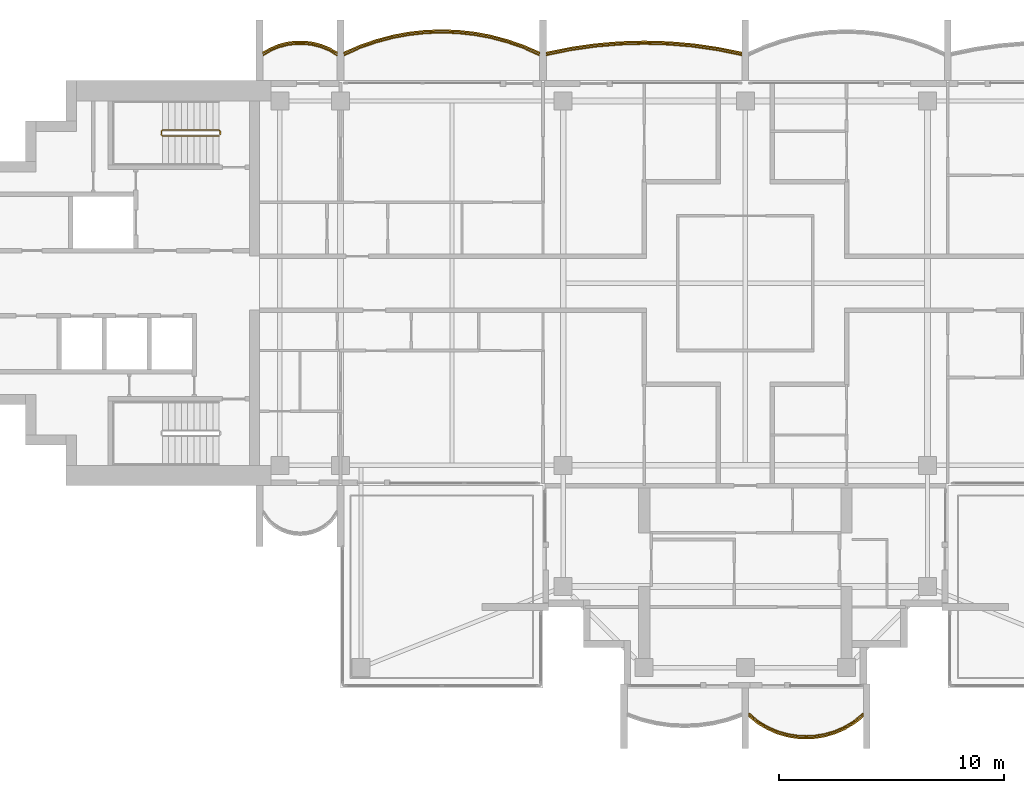
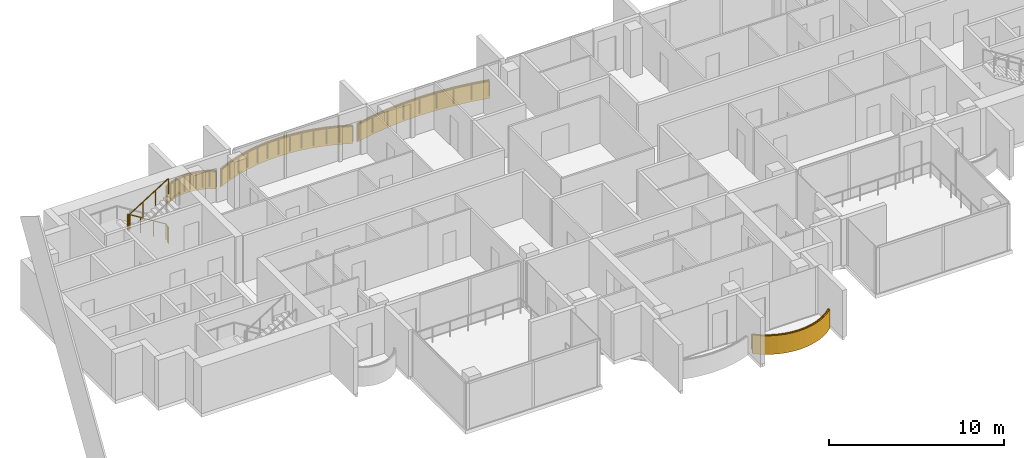
# One storey, part 14 of 16: 5 railings, 4 coverings.
"""IFC4 building model written with IfcOpenShell, lengths in metres."""

from ifc_helpers import new_model, si_unit, direction, frame, origin, origin_2d, place, context, subcontext, project, spatial, polyline, rectangle, outline, extrude, material, layer, layer_set, type_object, element, save


model = new_model("IFC4")

# Units and contexts
model_context = context("Model", 3, precision=1e-05, world=origin(), true_north=direction((0.0, 1.0)))
body_context = subcontext(model_context, "Body", "Model", "MODEL_VIEW")
ifc_project = project(units=[si_unit("LENGTHUNIT", "METRE"), si_unit("AREAUNIT", "SQUARE_METRE"), si_unit("VOLUMEUNIT", "CUBIC_METRE"), si_unit("PLANEANGLEUNIT", "RADIAN"), si_unit("MASSUNIT", "GRAM", prefix="KILO")], contexts=[model_context])

# Site, building, storey
site_placement = place(None, origin())
site = spatial("IfcSite", under=ifc_project, at=site_placement, CompositionType="ELEMENT")
building_placement = place(site_placement, origin())
building = spatial("IfcBuilding", under=site, at=building_placement, Name="Perihelion Cross Residences", CompositionType="ELEMENT")
storey_placement = place(building_placement, frame((0.0, 0.0, 264.0)))
storey = spatial("IfcBuildingStorey", under=building, at=storey_placement, Name="L67", CompositionType="ELEMENT", Elevation=264.0)

# Coverings
ifc_material_1 = material(Name="Bronze anodised aluminium", Category="aluminium")
ifc_layer = layer(ifc_material_1, 0.070068359375)
ifc_layer_set = layer_set([ifc_layer], Name="Balcony fascia 1300")
covering_type = type_object("IfcCoveringType", Name="Balcony fascia 1300", PredefinedType="CLADDING", material=ifc_layer_set)
covering_1_placement = place(storey_placement, frame((0.0, 0.0, -0.199951171875)))
element("IfcCovering", 1, at=covering_1_placement, inside=storey, type_object=covering_type, Name="Fascia BF1 L67 north side east bay 2", PredefinedType="CLADDING", context=body_context, shape_type="SweptSolid", body=[
    extrude(outline(polyline([(-1.2255859375, 10.4892578125), (-2.317138671875, 10.645751953125), (-3.408447265625, 10.739013671875), (-4.5, 10.77001953125), (-5.591552734375, 10.739013671875), (-6.682861328125, 10.645751953125), (-7.7744140625, 10.4892578125), (-8.85009765625, 10.271484375), (-8.85009765625, 10.199951171875), (-7.762451171875, 10.42041015625), (-6.675048828125, 10.576171875), (-5.58740234375, 10.669189453125), (-4.5, 10.699951171875), (-3.41259765625, 10.669189453125), (-2.324951171875, 10.576171875), (-1.237548828125, 10.42041015625), (-0.14990234375, 10.199951171875), (-0.14990234375, 10.271484375), (-1.2255859375, 10.4892578125)])), origin(), (0.0, 0.0, 1.0), 1.300048828125),
])
covering_2_placement = place(storey_placement, frame((0.0, 0.0, -0.199951171875)))
element("IfcCovering", 2, at=covering_2_placement, inside=storey, type_object=covering_type, Name="Fascia BF1 L67 west side north bay 1", PredefinedType="CLADDING", context=body_context, shape_type="SweptSolid", body=[
    extrude(outline(polyline([(-9.849365234375, 10.582275390625), (-10.57958984375, 10.83544921875), (-11.309814453125, 11.028076171875), (-12.039794921875, 11.1630859375), (-12.77001953125, 11.243408203125), (-13.5, 11.27001953125), (-14.22998046875, 11.243408203125), (-14.960205078125, 11.1630859375), (-15.690185546875, 11.028076171875), (-16.42041015625, 10.83544921875), (-17.150634765625, 10.582275390625), (-17.85009765625, 10.2763671875), (-17.85009765625, 10.199951171875), (-17.125, 10.51708984375), (-16.39990234375, 10.7685546875), (-15.675048828125, 10.959716796875), (-14.949951171875, 11.093994140625), (-14.22509765625, 11.173583984375), (-13.5, 11.199951171875), (-12.77490234375, 11.173583984375), (-12.050048828125, 11.093994140625), (-11.324951171875, 10.959716796875), (-10.60009765625, 10.7685546875), (-9.875, 10.51708984375), (-9.14990234375, 10.199951171875), (-9.14990234375, 10.2763671875), (-9.849365234375, 10.582275390625)])), origin(), (0.0, 0.0, 1.0), 1.300048828125),
])
covering_3_placement = place(storey_placement, frame((0.0, 0.0, -0.199951171875)))
element("IfcCovering", 3, at=covering_3_placement, inside=storey, type_object=covering_type, Name="Fascia BF1 L67 west side north bay 2", PredefinedType="CLADDING", context=body_context, shape_type="SweptSolid", body=[
    extrude(outline(polyline([(-18.486328125, 10.4716796875), (-18.861572265625, 10.62158203125), (-19.237060546875, 10.717529296875), (-19.6123046875, 10.76416015625), (-19.987548828125, 10.76416015625), (-20.363037109375, 10.717529296875), (-20.73828125, 10.62158203125), (-21.11376953125, 10.4716796875), (-21.449951171875, 10.280517578125), (-21.449951171875, 10.199951171875), (-21.083251953125, 10.40869140625), (-20.716552734375, 10.55517578125), (-20.35009765625, 10.648681640625), (-19.9833984375, 10.6943359375), (-19.61669921875, 10.6943359375), (-19.25, 10.648681640625), (-18.88330078125, 10.55517578125), (-18.5166015625, 10.40869140625), (-18.14990234375, 10.199951171875), (-18.14990234375, 10.280517578125), (-18.486328125, 10.4716796875)])), origin(), (0.0, 0.0, 1.0), 1.300048828125),
])
covering_4_placement = place(storey_placement, frame((0.0, 0.0, -0.199951171875)))
element("IfcCovering", 4, at=covering_4_placement, inside=storey, type_object=covering_type, Name="Fascia BF1 L67 south tip south bay 2", PredefinedType="CLADDING", context=body_context, shape_type="SweptSolid", body=[
    extrude(outline(polyline([(0.53515625, -19.59765625), (0.96826171875, -19.85498046875), (1.401123046875, -20.04248046875), (1.833984375, -20.170654296875), (2.26708984375, -20.245361328125), (2.699951171875, -20.27001953125), (3.133056640625, -20.245361328125), (3.56591796875, -20.170654296875), (3.998779296875, -20.04248046875), (4.431884765625, -19.85498046875), (4.86474609375, -19.59765625), (5.25, -19.28955078125), (5.25, -19.199951171875), (4.824951171875, -19.5400390625), (4.39990234375, -19.792724609375), (3.97509765625, -19.9765625), (3.550048828125, -20.1025390625), (3.125, -20.17578125), (2.699951171875, -20.199951171875), (2.27490234375, -20.17578125), (1.85009765625, -20.1025390625), (1.425048828125, -19.9765625), (1.0, -19.792724609375), (0.574951171875, -19.5400390625), (0.14990234375, -19.199951171875), (0.14990234375, -19.28955078125), (0.53515625, -19.59765625)])), origin(), (0.0, 0.0, 1.0), 1.300048828125),
])

# Railings
ifc_material_2 = material(Name="Bronze anodised aluminium", Category="aluminium")
railing_type_1 = type_object("IfcRailingType", Name="Balcony guard 1100", PredefinedType="GUARDRAIL", material=ifc_material_2)
railing_1_placement = place(storey_placement, frame((-0.175048828125, 10.139892578125, 0.0)))
element("IfcRailing", 5, at=railing_1_placement, inside=storey, type_object=railing_type_1, Name="Guard GU1 L67 north side east bay 2 balcony", PredefinedType="GUARDRAIL", context=body_context, shape_type="SweptSolid", body=[
    extrude(rectangle(XDim=0.048095703125, YDim=0.048095703125, at=origin_2d()), frame((0.0, 0.0, 1.076171875), z_axis=(-0.979144816647, 0.203163549961, 0.0), x_axis=(-0.203163549961, -0.979144816647, 0.0)), (0.0, 0.0, 1.0), 1.085205078125),
    extrude(rectangle(XDim=0.048095703125, YDim=0.048095703125, at=origin_2d()), frame((-1.0625, 0.220458984375, 1.076171875), z_axis=(-0.98989608354, 0.141794724135, 0.0), x_axis=(-0.141794724135, -0.98989608354, 0.0)), (0.0, 0.0, 1.0), 1.098388671875),
    extrude(rectangle(XDim=0.048095703125, YDim=0.048095703125, at=origin_2d()), frame((-2.14990234375, 0.376220703125, 1.076171875), z_axis=(-0.996362942492, 0.085210837506, 0.0), x_axis=(-0.085210837506, -0.996362942492, 0.0)), (0.0, 0.0, 1.0), 1.091552734375),
    extrude(rectangle(XDim=0.048095703125, YDim=0.048095703125, at=origin_2d()), frame((-3.237548828125, 0.46923828125, 1.076171875), z_axis=(-0.999600101203, 0.028277865458, 0.0), x_axis=(-0.028277865458, -0.999600101203, 0.0)), (0.0, 0.0, 1.0), 1.087890625),
    extrude(rectangle(XDim=0.048095703125, YDim=0.048095703125, at=origin_2d()), frame((-4.324951171875, 0.5, 1.076171875), z_axis=(-0.999600101203, -0.028277865458, 0.0), x_axis=(0.028277865458, -0.999600101203, 0.0)), (0.0, 0.0, 1.0), 1.087890625),
    extrude(rectangle(XDim=0.048095703125, YDim=0.048095703125, at=origin_2d()), frame((-5.412353515625, 0.46923828125, 1.076171875), z_axis=(-0.996362942492, -0.085210837506, 0.0), x_axis=(0.085210837506, -0.996362942492, 0.0)), (0.0, 0.0, 1.0), 1.091552734375),
    extrude(rectangle(XDim=0.048095703125, YDim=0.048095703125, at=origin_2d()), frame((-6.5, 0.376220703125, 1.076171875), z_axis=(-0.98989608354, -0.141794724135, 0.0), x_axis=(0.141794724135, -0.98989608354, 0.0)), (0.0, 0.0, 1.0), 1.098388671875),
    extrude(rectangle(XDim=0.048095703125, YDim=0.048095703125, at=origin_2d()), frame((-7.58740234375, 0.220458984375, 1.076171875), z_axis=(-0.979144816647, -0.203163549961, 0.0), x_axis=(0.203163549961, -0.979144816647, 0.0)), (0.0, 0.0, 1.0), 1.085205078125),
    extrude(rectangle(XDim=0.0419921875, YDim=0.0419921875, at=origin_2d()), origin(), (0.0, 0.0, 1.0), 1.052001953125),
    extrude(rectangle(XDim=0.0419921875, YDim=0.0419921875, at=origin_2d()), frame((-1.0625, 0.220458984375, 0.0)), (0.0, 0.0, 1.0), 1.052001953125),
    extrude(rectangle(XDim=0.0419921875, YDim=0.0419921875, at=origin_2d()), frame((-2.14990234375, 0.376220703125, 0.0)), (0.0, 0.0, 1.0), 1.052001953125),
    extrude(rectangle(XDim=0.0419921875, YDim=0.0419921875, at=origin_2d()), frame((-3.237548828125, 0.46923828125, 0.0)), (0.0, 0.0, 1.0), 1.052001953125),
    extrude(rectangle(XDim=0.0419921875, YDim=0.0419921875, at=origin_2d()), frame((-4.324951171875, 0.5, 0.0)), (0.0, 0.0, 1.0), 1.052001953125),
    extrude(rectangle(XDim=0.0419921875, YDim=0.0419921875, at=origin_2d()), frame((-5.412353515625, 0.46923828125, 0.0)), (0.0, 0.0, 1.0), 1.052001953125),
    extrude(rectangle(XDim=0.0419921875, YDim=0.0419921875, at=origin_2d()), frame((-6.5, 0.376220703125, 0.0)), (0.0, 0.0, 1.0), 1.052001953125),
    extrude(rectangle(XDim=0.0419921875, YDim=0.0419921875, at=origin_2d()), frame((-7.58740234375, 0.220458984375, 0.0)), (0.0, 0.0, 1.0), 1.052001953125),
    extrude(rectangle(XDim=0.0419921875, YDim=0.0419921875, at=origin_2d()), frame((-8.64990234375, 0.0, 0.0)), (0.0, 0.0, 1.0), 1.052001953125),
])
railing_2_placement = place(storey_placement, frame((-9.175048828125, 10.139892578125, 0.0)))
element("IfcRailing", 6, at=railing_2_placement, inside=storey, type_object=railing_type_1, Name="Guard GU1 L67 west side north bay 1 balcony", PredefinedType="GUARDRAIL", context=body_context, shape_type="SweptSolid", body=[
    extrude(rectangle(XDim=0.048095703125, YDim=0.048095703125, at=origin_2d()), frame((0.0, 0.0, 1.076171875), z_axis=(-0.910866309087, 0.412701547089, 0.0), x_axis=(-0.412701547089, -0.910866309087, 0.0)), (0.0, 0.0, 1.0), 0.7685546875),
    extrude(rectangle(XDim=0.048095703125, YDim=0.048095703125, at=origin_2d()), frame((-0.699951171875, 0.317138671875, 1.076171875), z_axis=(-0.944796812452, 0.327656807012, 0.0), x_axis=(-0.327656807012, -0.944796812452, 0.0)), (0.0, 0.0, 1.0), 0.767578125),
    extrude(rectangle(XDim=0.048095703125, YDim=0.048095703125, at=origin_2d()), frame((-1.425048828125, 0.568603515625, 1.076171875), z_axis=(-0.966939404945, 0.255006249266, 0.0), x_axis=(-0.255006249266, -0.966939404945, 0.0)), (0.0, 0.0, 1.0), 0.749755859375),
    extrude(rectangle(XDim=0.048095703125, YDim=0.048095703125, at=origin_2d()), frame((-2.14990234375, 0.759765625, 1.076171875), z_axis=(-0.983282004984, 0.182089260182, 0.0), x_axis=(-0.182089260182, -0.983282004984, 0.0)), (0.0, 0.0, 1.0), 0.7373046875),
    extrude(rectangle(XDim=0.048095703125, YDim=0.048095703125, at=origin_2d()), frame((-2.875, 0.89404296875, 1.076171875), z_axis=(-0.994025805622, 0.109145305703, 0.0), x_axis=(-0.109145305703, -0.994025805622, 0.0)), (0.0, 0.0, 1.0), 0.729248046875),
    extrude(rectangle(XDim=0.048095703125, YDim=0.048095703125, at=origin_2d()), frame((-3.599853515625, 0.9736328125, 1.076171875), z_axis=(-0.999339497946, 0.036339618107, 0.0), x_axis=(-0.036339618107, -0.999339497946, 0.0)), (0.0, 0.0, 1.0), 0.7255859375),
    extrude(rectangle(XDim=0.048095703125, YDim=0.048095703125, at=origin_2d()), frame((-4.324951171875, 1.0, 1.076171875), z_axis=(-0.999339497946, -0.036339618107, 0.0), x_axis=(0.036339618107, -0.999339497946, 0.0)), (0.0, 0.0, 1.0), 0.7255859375),
    extrude(rectangle(XDim=0.048095703125, YDim=0.048095703125, at=origin_2d()), frame((-5.050048828125, 0.9736328125, 1.076171875), z_axis=(-0.994025805622, -0.109145305703, 0.0), x_axis=(0.109145305703, -0.994025805622, 0.0)), (0.0, 0.0, 1.0), 0.729248046875),
    extrude(rectangle(XDim=0.048095703125, YDim=0.048095703125, at=origin_2d()), frame((-5.77490234375, 0.89404296875, 1.076171875), z_axis=(-0.983282004984, -0.182089260182, 0.0), x_axis=(0.182089260182, -0.983282004984, 0.0)), (0.0, 0.0, 1.0), 0.7373046875),
    extrude(rectangle(XDim=0.048095703125, YDim=0.048095703125, at=origin_2d()), frame((-6.5, 0.759765625, 1.076171875), z_axis=(-0.966939404945, -0.255006249266, 0.0), x_axis=(0.255006249266, -0.966939404945, 0.0)), (0.0, 0.0, 1.0), 0.749755859375),
    extrude(rectangle(XDim=0.048095703125, YDim=0.048095703125, at=origin_2d()), frame((-7.224853515625, 0.568603515625, 1.076171875), z_axis=(-0.944796812452, -0.327656807012, 0.0), x_axis=(0.327656807012, -0.944796812452, 0.0)), (0.0, 0.0, 1.0), 0.767578125),
    extrude(rectangle(XDim=0.048095703125, YDim=0.048095703125, at=origin_2d()), frame((-7.949951171875, 0.317138671875, 1.076171875), z_axis=(-0.910866309087, -0.412701547089, 0.0), x_axis=(0.412701547089, -0.910866309087, 0.0)), (0.0, 0.0, 1.0), 0.7685546875),
    extrude(rectangle(XDim=0.0419921875, YDim=0.0419921875, at=origin_2d()), origin(), (0.0, 0.0, 1.0), 1.052001953125),
    extrude(rectangle(XDim=0.0419921875, YDim=0.0419921875, at=origin_2d()), frame((-0.699951171875, 0.317138671875, 0.0)), (0.0, 0.0, 1.0), 1.052001953125),
    extrude(rectangle(XDim=0.0419921875, YDim=0.0419921875, at=origin_2d()), frame((-1.425048828125, 0.568603515625, 0.0)), (0.0, 0.0, 1.0), 1.052001953125),
    extrude(rectangle(XDim=0.0419921875, YDim=0.0419921875, at=origin_2d()), frame((-2.14990234375, 0.759765625, 0.0)), (0.0, 0.0, 1.0), 1.052001953125),
    extrude(rectangle(XDim=0.0419921875, YDim=0.0419921875, at=origin_2d()), frame((-2.875, 0.89404296875, 0.0)), (0.0, 0.0, 1.0), 1.052001953125),
    extrude(rectangle(XDim=0.0419921875, YDim=0.0419921875, at=origin_2d()), frame((-3.599853515625, 0.9736328125, 0.0)), (0.0, 0.0, 1.0), 1.052001953125),
    extrude(rectangle(XDim=0.0419921875, YDim=0.0419921875, at=origin_2d()), frame((-4.324951171875, 1.0, 0.0)), (0.0, 0.0, 1.0), 1.052001953125),
    extrude(rectangle(XDim=0.0419921875, YDim=0.0419921875, at=origin_2d()), frame((-5.050048828125, 0.9736328125, 0.0)), (0.0, 0.0, 1.0), 1.052001953125),
    extrude(rectangle(XDim=0.0419921875, YDim=0.0419921875, at=origin_2d()), frame((-5.77490234375, 0.89404296875, 0.0)), (0.0, 0.0, 1.0), 1.052001953125),
    extrude(rectangle(XDim=0.0419921875, YDim=0.0419921875, at=origin_2d()), frame((-6.5, 0.759765625, 0.0)), (0.0, 0.0, 1.0), 1.052001953125),
    extrude(rectangle(XDim=0.0419921875, YDim=0.0419921875, at=origin_2d()), frame((-7.224853515625, 0.568603515625, 0.0)), (0.0, 0.0, 1.0), 1.052001953125),
    extrude(rectangle(XDim=0.0419921875, YDim=0.0419921875, at=origin_2d()), frame((-7.949951171875, 0.317138671875, 0.0)), (0.0, 0.0, 1.0), 1.052001953125),
    extrude(rectangle(XDim=0.0419921875, YDim=0.0419921875, at=origin_2d()), frame((-8.64990234375, 0.0, 0.0)), (0.0, 0.0, 1.0), 1.052001953125),
])
railing_3_placement = place(storey_placement, frame((-18.175048828125, 10.139892578125, 0.0)))
element("IfcRailing", 7, at=railing_3_placement, inside=storey, type_object=railing_type_1, Name="Guard GU1 L67 west side north bay 2 balcony", PredefinedType="GUARDRAIL", context=body_context, shape_type="SweptSolid", body=[
    extrude(rectangle(XDim=0.048095703125, YDim=0.048095703125, at=origin_2d()), frame((0.0, 0.0, 1.076171875), z_axis=(-0.853266756821, 0.52147467983, 0.0), x_axis=(-0.52147467983, -0.853266756821, 0.0)), (0.0, 0.0, 1.0), 0.400390625),
    extrude(rectangle(XDim=0.048095703125, YDim=0.048095703125, at=origin_2d()), frame((-0.341552734375, 0.208740234375, 1.076171875), z_axis=(-0.928647151248, 0.37096424151, 0.0), x_axis=(-0.37096424151, -0.928647151248, 0.0)), (0.0, 0.0, 1.0), 0.394775390625),
    extrude(rectangle(XDim=0.048095703125, YDim=0.048095703125, at=origin_2d()), frame((-0.708251953125, 0.355224609375, 1.076171875), z_axis=(-0.968993337782, 0.247086849781, 0.0), x_axis=(-0.247086849781, -0.968993337782, 0.0)), (0.0, 0.0, 1.0), 0.37841796875),
    extrude(rectangle(XDim=0.048095703125, YDim=0.048095703125, at=origin_2d()), frame((-1.074951171875, 0.44873046875, 1.076171875), z_axis=(-0.992338742457, 0.123546834114, 0.0), x_axis=(-0.123546834114, -0.992338742457, 0.0)), (0.0, 0.0, 1.0), 0.36962890625),
    extrude(rectangle(XDim=0.048095703125, YDim=0.048095703125, at=origin_2d()), frame((-1.441650390625, 0.494384765625, 1.076171875), z_axis=(-1.0, 0.0, 0.0), x_axis=(0.0, -1.0, 0.0)), (0.0, 0.0, 1.0), 0.36669921875),
    extrude(rectangle(XDim=0.048095703125, YDim=0.048095703125, at=origin_2d()), frame((-1.808349609375, 0.494384765625, 1.076171875), z_axis=(-0.992338742457, -0.123546834114, 0.0), x_axis=(0.123546834114, -0.992338742457, 0.0)), (0.0, 0.0, 1.0), 0.36962890625),
    extrude(rectangle(XDim=0.048095703125, YDim=0.048095703125, at=origin_2d()), frame((-2.175048828125, 0.44873046875, 1.076171875), z_axis=(-0.968953914071, -0.247241405123, 0.0), x_axis=(0.247241405123, -0.968953914071, 0.0)), (0.0, 0.0, 1.0), 0.378173828125),
    extrude(rectangle(XDim=0.048095703125, YDim=0.048095703125, at=origin_2d()), frame((-2.54150390625, 0.355224609375, 1.076171875), z_axis=(-0.928647151248, -0.37096424151, 0.0), x_axis=(0.37096424151, -0.928647151248, 0.0)), (0.0, 0.0, 1.0), 0.394775390625),
    extrude(rectangle(XDim=0.048095703125, YDim=0.048095703125, at=origin_2d()), frame((-2.908203125, 0.208740234375, 1.076171875), z_axis=(-0.853432484338, -0.521203410078, 0.0), x_axis=(0.521203410078, -0.853432484338, 0.0)), (0.0, 0.0, 1.0), 0.400390625),
    extrude(rectangle(XDim=0.0419921875, YDim=0.0419921875, at=origin_2d()), origin(), (0.0, 0.0, 1.0), 1.052001953125),
    extrude(rectangle(XDim=0.0419921875, YDim=0.0419921875, at=origin_2d()), frame((-0.341552734375, 0.208740234375, 0.0)), (0.0, 0.0, 1.0), 1.052001953125),
    extrude(rectangle(XDim=0.0419921875, YDim=0.0419921875, at=origin_2d()), frame((-0.708251953125, 0.355224609375, 0.0)), (0.0, 0.0, 1.0), 1.052001953125),
    extrude(rectangle(XDim=0.0419921875, YDim=0.0419921875, at=origin_2d()), frame((-1.074951171875, 0.44873046875, 0.0)), (0.0, 0.0, 1.0), 1.052001953125),
    extrude(rectangle(XDim=0.0419921875, YDim=0.0419921875, at=origin_2d()), frame((-1.441650390625, 0.494384765625, 0.0)), (0.0, 0.0, 1.0), 1.052001953125),
    extrude(rectangle(XDim=0.0419921875, YDim=0.0419921875, at=origin_2d()), frame((-1.808349609375, 0.494384765625, 0.0)), (0.0, 0.0, 1.0), 1.052001953125),
    extrude(rectangle(XDim=0.0419921875, YDim=0.0419921875, at=origin_2d()), frame((-2.175048828125, 0.44873046875, 0.0)), (0.0, 0.0, 1.0), 1.052001953125),
    extrude(rectangle(XDim=0.0419921875, YDim=0.0419921875, at=origin_2d()), frame((-2.54150390625, 0.355224609375, 0.0)), (0.0, 0.0, 1.0), 1.052001953125),
    extrude(rectangle(XDim=0.0419921875, YDim=0.0419921875, at=origin_2d()), frame((-2.908203125, 0.208740234375, 0.0)), (0.0, 0.0, 1.0), 1.052001953125),
    extrude(rectangle(XDim=0.0419921875, YDim=0.0419921875, at=origin_2d()), frame((-3.25, 0.0, 0.0)), (0.0, 0.0, 1.0), 1.052001953125),
])
railing_4_placement = place(storey_placement, frame((0.175048828125, -19.139892578125, 0.0)))
element("IfcRailing", 8, at=railing_4_placement, inside=storey, type_object=railing_type_1, Name="Guard GU1 L67 south tip south bay 2 balcony", PredefinedType="GUARDRAIL", context=body_context, shape_type="SweptSolid", body=[
    extrude(rectangle(XDim=0.048095703125, YDim=0.048095703125, at=origin_2d()), frame((0.0, 0.0, 1.076171875), z_axis=(0.761778647315, -0.647837396648, 0.0), x_axis=(0.647837396648, 0.761778647315, 0.0)), (0.0, 0.0, 1.0), 0.52490234375),
    extrude(rectangle(XDim=0.048095703125, YDim=0.048095703125, at=origin_2d()), frame((0.39990234375, -0.340087890625, 1.076171875), z_axis=(0.859576918062, -0.511006381501, 0.0), x_axis=(0.511006381501, 0.859576918062, 0.0)), (0.0, 0.0, 1.0), 0.494384765625),
    extrude(rectangle(XDim=0.048095703125, YDim=0.048095703125, at=origin_2d()), frame((0.824951171875, -0.5927734375, 1.076171875), z_axis=(0.917638931453, -0.397415137459, 0.0), x_axis=(0.397415137459, 0.917638931453, 0.0)), (0.0, 0.0, 1.0), 0.463134765625),
    extrude(rectangle(XDim=0.048095703125, YDim=0.048095703125, at=origin_2d()), frame((1.25, -0.77685546875, 1.076171875), z_axis=(0.958925815697, -0.283656975924, 0.0), x_axis=(0.283656975924, 0.958925815697, 0.0)), (0.0, 0.0, 1.0), 0.443359375),
    extrude(rectangle(XDim=0.048095703125, YDim=0.048095703125, at=origin_2d()), frame((1.675048828125, -0.902587890625, 1.076171875), z_axis=(0.985365142702, -0.170456843651, 0.0), x_axis=(0.170456843651, 0.985365142702, 0.0)), (0.0, 0.0, 1.0), 0.43115234375),
    extrude(rectangle(XDim=0.048095703125, YDim=0.048095703125, at=origin_2d()), frame((2.099853515625, -0.97607421875, 1.076171875), z_axis=(0.9984195016, -0.056200523353, 0.0), x_axis=(0.056200523353, 0.9984195016, 0.0)), (0.0, 0.0, 1.0), 0.42578125),
    extrude(rectangle(XDim=0.048095703125, YDim=0.048095703125, at=origin_2d()), frame((2.52490234375, -1.0, 1.076171875), z_axis=(0.9984195016, 0.056200523353, 0.0), x_axis=(-0.056200523353, 0.9984195016, 0.0)), (0.0, 0.0, 1.0), 0.42578125),
    extrude(rectangle(XDim=0.048095703125, YDim=0.048095703125, at=origin_2d()), frame((2.949951171875, -0.97607421875, 1.076171875), z_axis=(0.985381583142, 0.17036177859, 0.0), x_axis=(-0.17036177859, 0.985381583142, 0.0)), (0.0, 0.0, 1.0), 0.431396484375),
    extrude(rectangle(XDim=0.048095703125, YDim=0.048095703125, at=origin_2d()), frame((3.375, -0.902587890625, 1.076171875), z_axis=(0.958925815697, 0.283656975924, 0.0), x_axis=(-0.283656975924, 0.958925815697, 0.0)), (0.0, 0.0, 1.0), 0.443359375),
    extrude(rectangle(XDim=0.048095703125, YDim=0.048095703125, at=origin_2d()), frame((3.800048828125, -0.77685546875, 1.076171875), z_axis=(0.91755562531, 0.397607437634, 0.0), x_axis=(-0.397607437634, 0.91755562531, 0.0)), (0.0, 0.0, 1.0), 0.462890625),
    extrude(rectangle(XDim=0.048095703125, YDim=0.048095703125, at=origin_2d()), frame((4.224853515625, -0.5927734375, 1.076171875), z_axis=(0.859576918062, 0.511006381501, 0.0), x_axis=(-0.511006381501, 0.859576918062, 0.0)), (0.0, 0.0, 1.0), 0.494384765625),
    extrude(rectangle(XDim=0.048095703125, YDim=0.048095703125, at=origin_2d()), frame((4.64990234375, -0.340087890625, 1.076171875), z_axis=(0.761973728849, 0.647607934281, 0.0), x_axis=(-0.647607934281, 0.761973728849, 0.0)), (0.0, 0.0, 1.0), 0.525146484375),
    extrude(rectangle(XDim=0.0419921875, YDim=0.0419921875, at=origin_2d()), origin(), (0.0, 0.0, 1.0), 1.052001953125),
    extrude(rectangle(XDim=0.0419921875, YDim=0.0419921875, at=origin_2d()), frame((0.39990234375, -0.340087890625, 0.0)), (0.0, 0.0, 1.0), 1.052001953125),
    extrude(rectangle(XDim=0.0419921875, YDim=0.0419921875, at=origin_2d()), frame((0.824951171875, -0.5927734375, 0.0)), (0.0, 0.0, 1.0), 1.052001953125),
    extrude(rectangle(XDim=0.0419921875, YDim=0.0419921875, at=origin_2d()), frame((1.25, -0.77685546875, 0.0)), (0.0, 0.0, 1.0), 1.052001953125),
    extrude(rectangle(XDim=0.0419921875, YDim=0.0419921875, at=origin_2d()), frame((1.675048828125, -0.902587890625, 0.0)), (0.0, 0.0, 1.0), 1.052001953125),
    extrude(rectangle(XDim=0.0419921875, YDim=0.0419921875, at=origin_2d()), frame((2.099853515625, -0.97607421875, 0.0)), (0.0, 0.0, 1.0), 1.052001953125),
    extrude(rectangle(XDim=0.0419921875, YDim=0.0419921875, at=origin_2d()), frame((2.52490234375, -1.0, 0.0)), (0.0, 0.0, 1.0), 1.052001953125),
    extrude(rectangle(XDim=0.0419921875, YDim=0.0419921875, at=origin_2d()), frame((2.949951171875, -0.97607421875, 0.0)), (0.0, 0.0, 1.0), 1.052001953125),
    extrude(rectangle(XDim=0.0419921875, YDim=0.0419921875, at=origin_2d()), frame((3.375, -0.902587890625, 0.0)), (0.0, 0.0, 1.0), 1.052001953125),
    extrude(rectangle(XDim=0.0419921875, YDim=0.0419921875, at=origin_2d()), frame((3.800048828125, -0.77685546875, 0.0)), (0.0, 0.0, 1.0), 1.052001953125),
    extrude(rectangle(XDim=0.0419921875, YDim=0.0419921875, at=origin_2d()), frame((4.224853515625, -0.5927734375, 0.0)), (0.0, 0.0, 1.0), 1.052001953125),
    extrude(rectangle(XDim=0.0419921875, YDim=0.0419921875, at=origin_2d()), frame((4.64990234375, -0.340087890625, 0.0)), (0.0, 0.0, 1.0), 1.052001953125),
    extrude(rectangle(XDim=0.0419921875, YDim=0.0419921875, at=origin_2d()), frame((5.050048828125, 0.0, 0.0)), (0.0, 0.0, 1.0), 1.052001953125),
])
ifc_material_3 = material(Name="Stainless steel", Category="steel")
railing_type_2 = type_object("IfcRailingType", Name="Stair guard 1100", PredefinedType="GUARDRAIL", material=ifc_material_3)
railing_5_placement = place(storey_placement, frame((-23.35009765625, 6.60009765625, 0.0)))
element("IfcRailing", 9, at=railing_5_placement, inside=storey, type_object=railing_type_2, Name="L67 ST-W1 stair guard 1", PredefinedType="GUARDRAIL", context=body_context, shape_type="SweptSolid", body=[
    extrude(rectangle(XDim=0.048095703125, YDim=0.048095703125, at=origin_2d()), frame((0.0, 0.0, 1.076171875), z_axis=(0.0, 1.0, 0.0), x_axis=(-1.0, 0.0, 0.0)), (0.0, 0.0, 1.0), 0.14990234375),
    extrude(rectangle(XDim=0.048095703125, YDim=0.048095703125, at=origin_2d()), frame((0.0, 0.14990234375, 1.076171875), z_axis=(-0.263862480399, 0.265155923931, 0.927399011991), x_axis=(-0.708833529934, -0.705375805398, 0.0)), (0.0, 0.0, 1.0), 0.188720703125),
    extrude(rectangle(XDim=0.048095703125, YDim=0.048095703125, at=origin_2d()), frame((-0.0498046875, 0.199951171875, 1.2509765625), z_axis=(-0.848007534815, 0.0, 0.529984170421), x_axis=(0.0, -1.0, 0.0)), (0.0, 0.0, 1.0), 2.9716796875),
    extrude(rectangle(XDim=0.048095703125, YDim=0.048095703125, at=origin_2d()), frame((-2.56982421875, 0.199951171875, 2.826171875), z_axis=(-0.707106781187, -0.707106781187, 0.0), x_axis=(0.707106781187, -0.707106781187, 0.0)), (0.0, 0.0, 1.0), 0.07080078125),
    extrude(rectangle(XDim=0.048095703125, YDim=0.048095703125, at=origin_2d()), frame((-2.619873046875, 0.14990234375, 2.826171875), z_axis=(0.0, -1.0, 0.0), x_axis=(1.0, 0.0, 0.0)), (0.0, 0.0, 1.0), 0.14990234375),
    extrude(rectangle(XDim=0.048095703125, YDim=0.048095703125, at=origin_2d()), frame((-2.619873046875, 0.0, 2.826171875), z_axis=(0.265065253269, -0.265065253269, 0.927081885822), x_axis=(0.707106781187, 0.707106781187, 0.0)), (0.0, 0.0, 1.0), 0.188720703125),
    extrude(rectangle(XDim=0.048095703125, YDim=0.048095703125, at=origin_2d()), frame((-2.56982421875, -0.050048828125, 3.0009765625), z_axis=(0.848007534815, 0.0, 0.529984170421), x_axis=(0.0, 1.0, 0.0)), (0.0, 0.0, 1.0), 2.9716796875),
    extrude(rectangle(XDim=0.0419921875, YDim=0.0419921875, at=origin_2d()), origin(), (0.0, 0.0, 1.0), 1.052001953125),
    extrude(rectangle(XDim=0.0419921875, YDim=0.0419921875, at=origin_2d()), frame((0.0, 0.14990234375, 0.0)), (0.0, 0.0, 1.0), 1.052001953125),
    extrude(rectangle(XDim=0.0419921875, YDim=0.0419921875, at=origin_2d()), frame((-0.0498046875, 0.199951171875, 0.175048828125)), (0.0, 0.0, 1.0), 1.052001953125),
    extrude(rectangle(XDim=0.0419921875, YDim=0.0419921875, at=origin_2d()), frame((-0.889892578125, 0.199951171875, 0.699951171875)), (0.0, 0.0, 1.0), 1.052001953125),
    extrude(rectangle(XDim=0.0419921875, YDim=0.0419921875, at=origin_2d()), frame((-1.729736328125, 0.199951171875, 1.22509765625)), (0.0, 0.0, 1.0), 1.052001953125),
    extrude(rectangle(XDim=0.0419921875, YDim=0.0419921875, at=origin_2d()), frame((-2.56982421875, 0.199951171875, 1.75)), (0.0, 0.0, 1.0), 1.052001953125),
    extrude(rectangle(XDim=0.0419921875, YDim=0.0419921875, at=origin_2d()), frame((-2.619873046875, 0.14990234375, 1.75)), (0.0, 0.0, 1.0), 1.052001953125),
    extrude(rectangle(XDim=0.0419921875, YDim=0.0419921875, at=origin_2d()), frame((-2.619873046875, 0.0, 1.75)), (0.0, 0.0, 1.0), 1.052001953125),
    extrude(rectangle(XDim=0.0419921875, YDim=0.0419921875, at=origin_2d()), frame((-2.56982421875, -0.050048828125, 1.925048828125)), (0.0, 0.0, 1.0), 1.052001953125),
    extrude(rectangle(XDim=0.0419921875, YDim=0.0419921875, at=origin_2d()), frame((-1.729736328125, -0.050048828125, 2.449951171875)), (0.0, 0.0, 1.0), 1.052001953125),
    extrude(rectangle(XDim=0.0419921875, YDim=0.0419921875, at=origin_2d()), frame((-0.889892578125, -0.050048828125, 2.97509765625)), (0.0, 0.0, 1.0), 1.052001953125),
    extrude(rectangle(XDim=0.0419921875, YDim=0.0419921875, at=origin_2d()), frame((-0.0498046875, -0.050048828125, 3.5)), (0.0, 0.0, 1.0), 1.052001953125),
])

save(model, "model.ifc")
